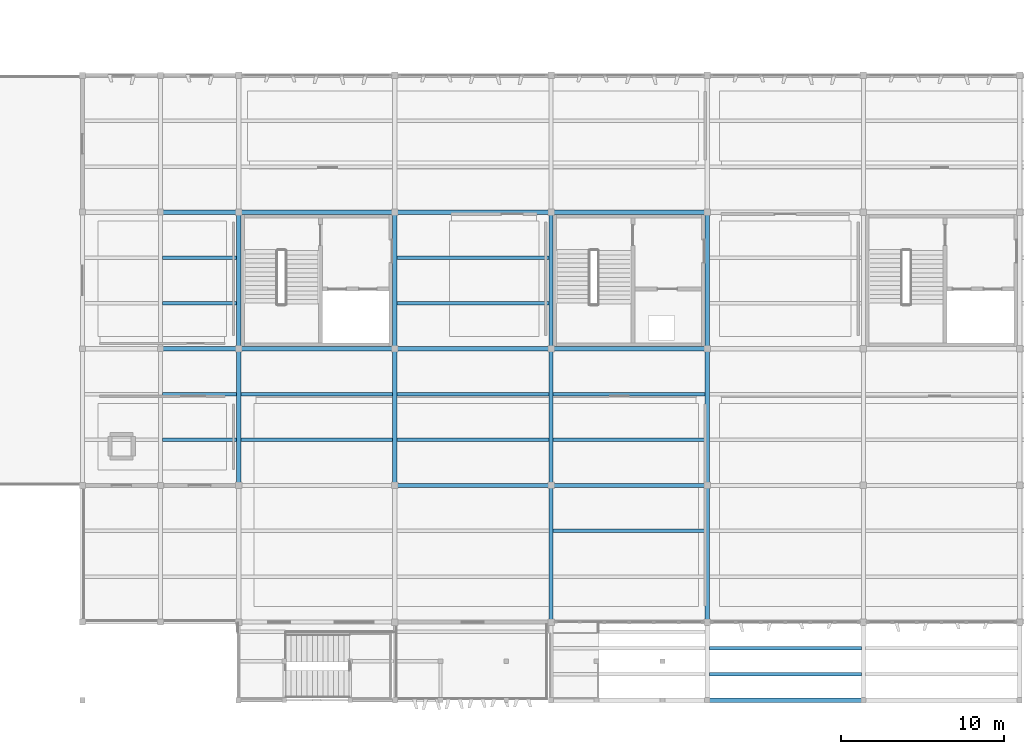
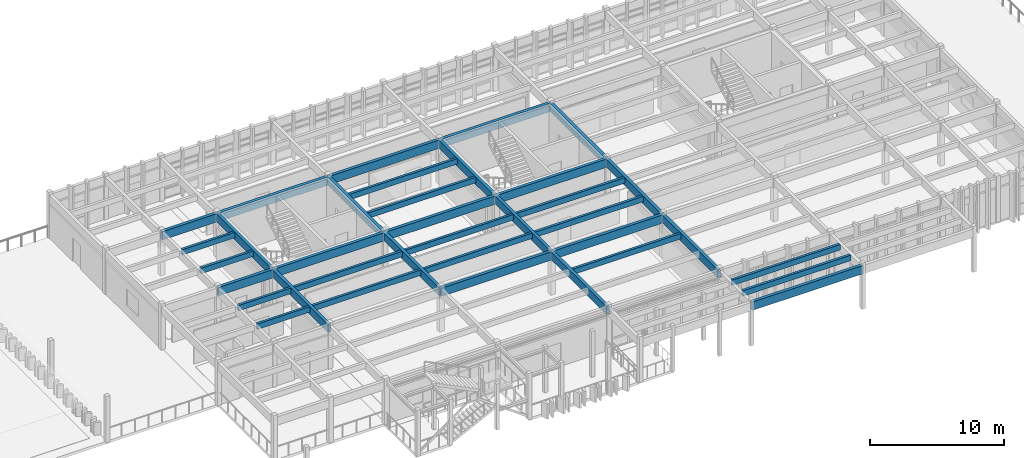
# One storey, part 7 of 42: 36 beams.
"""IFC4 building model written with IfcOpenShell, lengths in metres."""

from ifc_helpers import new_model, si_unit, direction, frame, origin, origin_2d, place, context, subcontext, project, spatial, rectangle, extrude, material, material_profile, profile_set, type_object, element, save


model = new_model("IFC4")

# Units and contexts
model_context = context("Model", 3, precision=1e-05, world=origin(), true_north=direction((0.0, 1.0)))
body_context = subcontext(model_context, "Body", "Model", "MODEL_VIEW")
ifc_project = project(units=[si_unit("LENGTHUNIT", "METRE"), si_unit("AREAUNIT", "SQUARE_METRE"), si_unit("VOLUMEUNIT", "CUBIC_METRE"), si_unit("PLANEANGLEUNIT", "RADIAN"), si_unit("MASSUNIT", "GRAM", prefix="KILO")], contexts=[model_context])

# Site, building, storey
site_placement = place(None, origin())
site = spatial("IfcSite", under=ifc_project, at=site_placement, CompositionType="ELEMENT")
building_placement = place(site_placement, origin())
building = spatial("IfcBuilding", under=site, at=building_placement, Name="Kolvemor Railside Polytechnic", CompositionType="ELEMENT")
storey_placement = place(building_placement, frame((0.0, 0.0, 14.39990234375)))
storey = spatial("IfcBuildingStorey", under=building, at=storey_placement, Name="L03", CompositionType="ELEMENT", Elevation=14.39990234375)

# Beams
ifc_material_1 = material(Name="Glulam GL28h", Category="wood")
ifc_material_profile_1 = material_profile(ifc_material_1, rectangle(XDim=0.264892578125, YDim=0.760009765625, at=origin_2d()), Name="GL265x760")
ifc_profile_set_1 = profile_set([ifc_material_profile_1], Name="Glulam GL28h")
beam_type_1 = type_object("IfcBeamType", Name="BM-GL-GIRD1", PredefinedType="BEAM", material=ifc_profile_set_1)
beam_1_placement = place(storey_placement, frame((76.800048828125, 13.199951171875, 3.570068359375), z_axis=(1.0, 0.0, 0.0), x_axis=(0.0, 1.0, 0.0)))
element("IfcBeam", 1, at=beam_1_placement, inside=storey, type_object=beam_type_1, Name="Primary Girder L04-GX 1379", PredefinedType="BEAM", context=body_context, shape_type="SweptSolid", body=[
    extrude(rectangle(XDim=0.264892578125, YDim=0.760009765625, at=origin_2d()), origin(), (0.0, 0.0, 1.0), 9.599853515625),
])
beam_2_placement = place(storey_placement, frame((86.39990234375, 13.199951171875, 3.570068359375), z_axis=(1.0, 0.0, 0.0), x_axis=(0.0, 1.0, 0.0)))
element("IfcBeam", 2, at=beam_2_placement, inside=storey, type_object=beam_type_1, Name="Primary Girder L04-GX 1380", PredefinedType="BEAM", context=body_context, shape_type="SweptSolid", body=[
    extrude(rectangle(XDim=0.264892578125, YDim=0.760009765625, at=origin_2d()), origin(), (0.0, 0.0, 1.0), 9.60009765625),
])
beam_3_placement = place(storey_placement, frame((62.39990234375, 21.60009765625, 3.570068359375), z_axis=(1.0, 0.0, 0.0), x_axis=(0.0, 1.0, 0.0)))
element("IfcBeam", 3, at=beam_3_placement, inside=storey, type_object=beam_type_1, Name="Primary Girder L04-GX 1386", PredefinedType="BEAM", context=body_context, shape_type="SweptSolid", body=[
    extrude(rectangle(XDim=0.264892578125, YDim=0.760009765625, at=origin_2d()), origin(), (0.0, 0.0, 1.0), 4.800048828125),
])
beam_4_placement = place(storey_placement, frame((67.199951171875, 21.60009765625, 3.570068359375), z_axis=(1.0, 0.0, 0.0), x_axis=(0.0, 1.0, 0.0)))
element("IfcBeam", 4, at=beam_4_placement, inside=storey, type_object=beam_type_1, Name="Primary Girder L04-GX 1387", PredefinedType="BEAM", context=body_context, shape_type="SweptSolid", body=[
    extrude(rectangle(XDim=0.264892578125, YDim=0.760009765625, at=origin_2d()), origin(), (0.0, 0.0, 1.0), 9.60009765625),
])
beam_5_placement = place(storey_placement, frame((76.800048828125, 21.60009765625, 3.570068359375), z_axis=(1.0, 0.0, 0.0), x_axis=(0.0, 1.0, 0.0)))
element("IfcBeam", 5, at=beam_5_placement, inside=storey, type_object=beam_type_1, Name="Primary Girder L04-GX 1388", PredefinedType="BEAM", context=body_context, shape_type="SweptSolid", body=[
    extrude(rectangle(XDim=0.264892578125, YDim=0.760009765625, at=origin_2d()), origin(), (0.0, 0.0, 1.0), 9.599853515625),
])
beam_6_placement = place(storey_placement, frame((86.39990234375, 21.60009765625, 3.570068359375), z_axis=(1.0, 0.0, 0.0), x_axis=(0.0, 1.0, 0.0)))
element("IfcBeam", 6, at=beam_6_placement, inside=storey, type_object=beam_type_1, Name="Primary Girder L04-GX 1389", PredefinedType="BEAM", context=body_context, shape_type="SweptSolid", body=[
    extrude(rectangle(XDim=0.264892578125, YDim=0.760009765625, at=origin_2d()), origin(), (0.0, 0.0, 1.0), 9.60009765625),
])
beam_7_placement = place(storey_placement, frame((62.39990234375, 30.0, 3.570068359375), z_axis=(1.0, 0.0, 0.0), x_axis=(0.0, 1.0, 0.0)))
element("IfcBeam", 7, at=beam_7_placement, inside=storey, type_object=beam_type_1, Name="Primary Girder L04-GX 1395", PredefinedType="BEAM", context=body_context, shape_type="SweptSolid", body=[
    extrude(rectangle(XDim=0.264892578125, YDim=0.760009765625, at=origin_2d()), origin(), (0.0, 0.0, 1.0), 4.800048828125),
])
beam_8_placement = place(storey_placement, frame((67.199951171875, 30.0, 3.570068359375), z_axis=(1.0, 0.0, 0.0), x_axis=(0.0, 1.0, 0.0)))
element("IfcBeam", 8, at=beam_8_placement, inside=storey, type_object=beam_type_1, Name="Primary Girder L04-GX 1396", PredefinedType="BEAM", context=body_context, shape_type="SweptSolid", body=[
    extrude(rectangle(XDim=0.264892578125, YDim=0.760009765625, at=origin_2d()), origin(), (0.0, 0.0, 1.0), 9.60009765625),
])
beam_9_placement = place(storey_placement, frame((76.800048828125, 30.0, 3.570068359375), z_axis=(1.0, 0.0, 0.0), x_axis=(0.0, 1.0, 0.0)))
element("IfcBeam", 9, at=beam_9_placement, inside=storey, type_object=beam_type_1, Name="Primary Girder L04-GX 1397", PredefinedType="BEAM", context=body_context, shape_type="SweptSolid", body=[
    extrude(rectangle(XDim=0.264892578125, YDim=0.760009765625, at=origin_2d()), origin(), (0.0, 0.0, 1.0), 9.599853515625),
])
for number, where, z_axis, x_axis, name in (
    (10, (86.39990234375, 30.0, 3.570068359375), (1.0, 0.0, 0.0), (0.0, 1.0, 0.0), "Primary Girder L04-GX 1398"),
    (11, (96.0, 0.0, 3.570068359375), (1.0, 0.0, 0.0), (0.0, 1.0, 0.0), "Primary Girder L04-GX 1943"),
):
    element("IfcBeam", number, at=place(storey_placement, frame(where, z_axis=z_axis, x_axis=x_axis)), inside=storey, type_object=beam_type_1, Name=name, PredefinedType="BEAM", context=body_context, shape_type="SweptSolid", body=[
        extrude(rectangle(XDim=0.264892578125, YDim=0.760009765625, at=origin_2d()), origin(), (0.0, 0.0, 1.0), 9.60009765625),
    ])
ifc_material_2 = material(Name="Glulam GL28h", Category="wood")
ifc_material_profile_2 = material_profile(ifc_material_2, rectangle(XDim=0.264892578125, YDim=0.719970703125, at=origin_2d()), Name="GL265x720")
ifc_profile_set_2 = profile_set([ifc_material_profile_2], Name="Glulam GL28h")
beam_type_2 = type_object("IfcBeamType", Name="BM-GL-GIRD4", PredefinedType="BEAM", material=ifc_profile_set_2)
beam_10_placement = place(storey_placement, frame((67.199951171875, 13.199951171875, 3.590087890625), z_axis=(0.0, 1.0, 0.0), x_axis=(-1.0, 0.0, 0.0)))
element("IfcBeam", 12, at=beam_10_placement, inside=storey, type_object=beam_type_2, Name="Primary Girder L04-GY 1421", PredefinedType="BEAM", context=body_context, shape_type="SweptSolid", body=[
    extrude(rectangle(XDim=0.264892578125, YDim=0.719970703125, at=origin_2d()), origin(), (0.0, 0.0, 1.0), 8.400146484375),
])
beam_11_placement = place(storey_placement, frame((67.199951171875, 21.60009765625, 3.590087890625), z_axis=(0.0, 1.0, 0.0), x_axis=(-1.0, 0.0, 0.0)))
element("IfcBeam", 13, at=beam_11_placement, inside=storey, type_object=beam_type_2, Name="Primary Girder L04-GY 1422", PredefinedType="BEAM", context=body_context, shape_type="SweptSolid", body=[
    extrude(rectangle(XDim=0.264892578125, YDim=0.719970703125, at=origin_2d()), origin(), (0.0, 0.0, 1.0), 8.39990234375),
])
beam_12_placement = place(storey_placement, frame((76.800048828125, 13.199951171875, 3.590087890625), z_axis=(0.0, 1.0, 0.0), x_axis=(-1.0, 0.0, 0.0)))
element("IfcBeam", 14, at=beam_12_placement, inside=storey, type_object=beam_type_2, Name="Primary Girder L04-GY 1425", PredefinedType="BEAM", context=body_context, shape_type="SweptSolid", body=[
    extrude(rectangle(XDim=0.264892578125, YDim=0.719970703125, at=origin_2d()), origin(), (0.0, 0.0, 1.0), 8.400146484375),
])
for number, where, z_axis, x_axis, name in (
    (15, (76.800048828125, 21.60009765625, 3.590087890625), (0.0, 1.0, 0.0), (-1.0, 0.0, 0.0), "Primary Girder L04-GY 1426"),
    (16, (86.39990234375, 4.800048828125, 3.590087890625), (0.0, 1.0, 0.0), (-1.0, 0.0, 0.0), "Primary Girder L04-GY 1428"),
):
    element("IfcBeam", number, at=place(storey_placement, frame(where, z_axis=z_axis, x_axis=x_axis)), inside=storey, type_object=beam_type_2, Name=name, PredefinedType="BEAM", context=body_context, shape_type="SweptSolid", body=[
        extrude(rectangle(XDim=0.264892578125, YDim=0.719970703125, at=origin_2d()), origin(), (0.0, 0.0, 1.0), 8.39990234375),
    ])
beam_13_placement = place(storey_placement, frame((86.39990234375, 13.199951171875, 3.590087890625), z_axis=(0.0, 1.0, 0.0), x_axis=(-1.0, 0.0, 0.0)))
element("IfcBeam", 17, at=beam_13_placement, inside=storey, type_object=beam_type_2, Name="Primary Girder L04-GY 1429", PredefinedType="BEAM", context=body_context, shape_type="SweptSolid", body=[
    extrude(rectangle(XDim=0.264892578125, YDim=0.719970703125, at=origin_2d()), origin(), (0.0, 0.0, 1.0), 8.400146484375),
])
for number, where, z_axis, x_axis, name in (
    (18, (86.39990234375, 21.60009765625, 3.590087890625), (0.0, 1.0, 0.0), (-1.0, 0.0, 0.0), "Primary Girder L04-GY 1430"),
    (19, (96.0, 4.800048828125, 3.590087890625), (0.0, 1.0, 0.0), (-1.0, 0.0, 0.0), "Primary Girder L04-GY 1432"),
):
    element("IfcBeam", number, at=place(storey_placement, frame(where, z_axis=z_axis, x_axis=x_axis)), inside=storey, type_object=beam_type_2, Name=name, PredefinedType="BEAM", context=body_context, shape_type="SweptSolid", body=[
        extrude(rectangle(XDim=0.264892578125, YDim=0.719970703125, at=origin_2d()), origin(), (0.0, 0.0, 1.0), 8.39990234375),
    ])
beam_14_placement = place(storey_placement, frame((96.0, 13.199951171875, 3.590087890625), z_axis=(0.0, 1.0, 0.0), x_axis=(-1.0, 0.0, 0.0)))
element("IfcBeam", 20, at=beam_14_placement, inside=storey, type_object=beam_type_2, Name="Primary Girder L04-GY 1433", PredefinedType="BEAM", context=body_context, shape_type="SweptSolid", body=[
    extrude(rectangle(XDim=0.264892578125, YDim=0.719970703125, at=origin_2d()), origin(), (0.0, 0.0, 1.0), 8.400146484375),
])
beam_15_placement = place(storey_placement, frame((96.0, 21.60009765625, 3.590087890625), z_axis=(0.0, 1.0, 0.0), x_axis=(-1.0, 0.0, 0.0)))
element("IfcBeam", 21, at=beam_15_placement, inside=storey, type_object=beam_type_2, Name="Primary Girder L04-GY 1434", PredefinedType="BEAM", context=body_context, shape_type="SweptSolid", body=[
    extrude(rectangle(XDim=0.264892578125, YDim=0.719970703125, at=origin_2d()), origin(), (0.0, 0.0, 1.0), 8.39990234375),
])
ifc_material_3 = material(Name="Glulam GL28h", Category="wood")
ifc_material_profile_3 = material_profile(ifc_material_3, rectangle(XDim=0.215087890625, YDim=0.5, at=origin_2d()), Name="GL215x500")
ifc_profile_set_3 = profile_set([ifc_material_profile_3], Name="Glulam GL28h")
beam_type_3 = type_object("IfcBeamType", Name="BM-GL-JST3", PredefinedType="JOIST", material=ifc_profile_set_3)
for number, where, z_axis, x_axis, name in (
    (22, (62.532958984375, 16.0, 3.7001953125), (1.0, 0.0, 0.0), (0.0, 1.0, 0.0), "Floor Joist L04-J1462"),
    (23, (62.532958984375, 18.800048828125, 3.7001953125), (1.0, 0.0, 0.0), (0.0, 1.0, 0.0), "Floor Joist L04-J1463"),
    (24, (62.532958984375, 24.39990234375, 3.7001953125), (1.0, 0.0, 0.0), (0.0, 1.0, 0.0), "Floor Joist L04-J1464"),
    (25, (62.532958984375, 27.199951171875, 3.7001953125), (1.0, 0.0, 0.0), (0.0, 1.0, 0.0), "Floor Joist L04-J1465"),
):
    element("IfcBeam", number, at=place(storey_placement, frame(where, z_axis=z_axis, x_axis=x_axis)), inside=storey, type_object=beam_type_3, Name=name, PredefinedType="JOIST", context=body_context, shape_type="SweptSolid", body=[
        extrude(rectangle(XDim=0.215087890625, YDim=0.5, at=origin_2d()), origin(), (0.0, 0.0, 1.0), 4.533935546875),
    ])
for number, where, z_axis, x_axis, name in (
    (26, (67.3330078125, 16.0, 3.7001953125), (1.0, 0.0, 0.0), (0.0, 1.0, 0.0), "Floor Joist L04-J1470"),
    (27, (67.3330078125, 18.800048828125, 3.7001953125), (1.0, 0.0, 0.0), (0.0, 1.0, 0.0), "Floor Joist L04-J1471"),
    (28, (76.93310546875, 16.0, 3.7001953125), (1.0, 0.0, 0.0), (0.0, 1.0, 0.0), "Floor Joist L04-J1476"),
    (29, (76.93310546875, 18.800048828125, 3.7001953125), (1.0, 0.0, 0.0), (0.0, 1.0, 0.0), "Floor Joist L04-J1477"),
    (30, (76.93310546875, 24.39990234375, 3.7001953125), (1.0, 0.0, 0.0), (0.0, 1.0, 0.0), "Floor Joist L04-J1478"),
    (31, (76.93310546875, 27.199951171875, 3.7001953125), (1.0, 0.0, 0.0), (0.0, 1.0, 0.0), "Floor Joist L04-J1479"),
    (32, (86.532958984375, 10.39990234375, 3.7001953125), (1.0, 0.0, 0.0), (0.0, 1.0, 0.0), "Floor Joist L04-J1483"),
    (33, (86.532958984375, 16.0, 3.7001953125), (1.0, 0.0, 0.0), (0.0, 1.0, 0.0), "Floor Joist L04-J1484"),
    (34, (86.532958984375, 18.800048828125, 3.7001953125), (1.0, 0.0, 0.0), (0.0, 1.0, 0.0), "Floor Joist L04-J1485"),
    (35, (96.133056640625, 1.60009765625, 3.7001953125), (1.0, 0.0, 0.0), (0.0, 1.0, 0.0), "Floor Joist L04-J1951"),
    (36, (96.133056640625, 3.199951171875, 3.7001953125), (1.0, 0.0, 0.0), (0.0, 1.0, 0.0), "Floor Joist L04-J1952"),
):
    element("IfcBeam", number, at=place(storey_placement, frame(where, z_axis=z_axis, x_axis=x_axis)), inside=storey, type_object=beam_type_3, Name=name, PredefinedType="JOIST", context=body_context, shape_type="SweptSolid", body=[
        extrude(rectangle(XDim=0.215087890625, YDim=0.5, at=origin_2d()), origin(), (0.0, 0.0, 1.0), 9.333984375),
    ])

save(model, "model.ifc")
